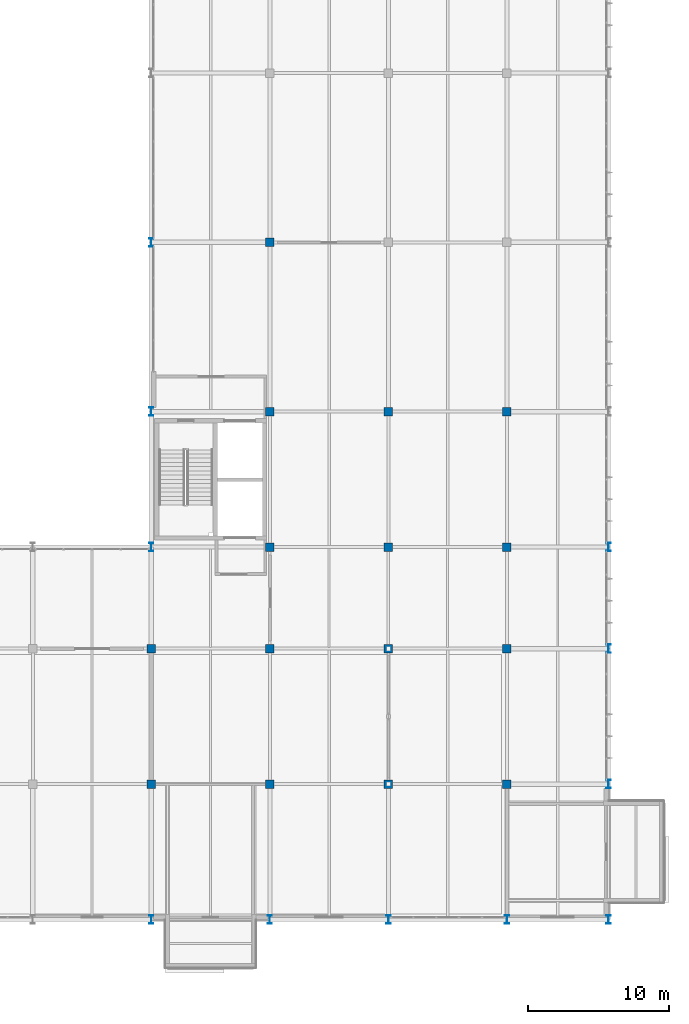
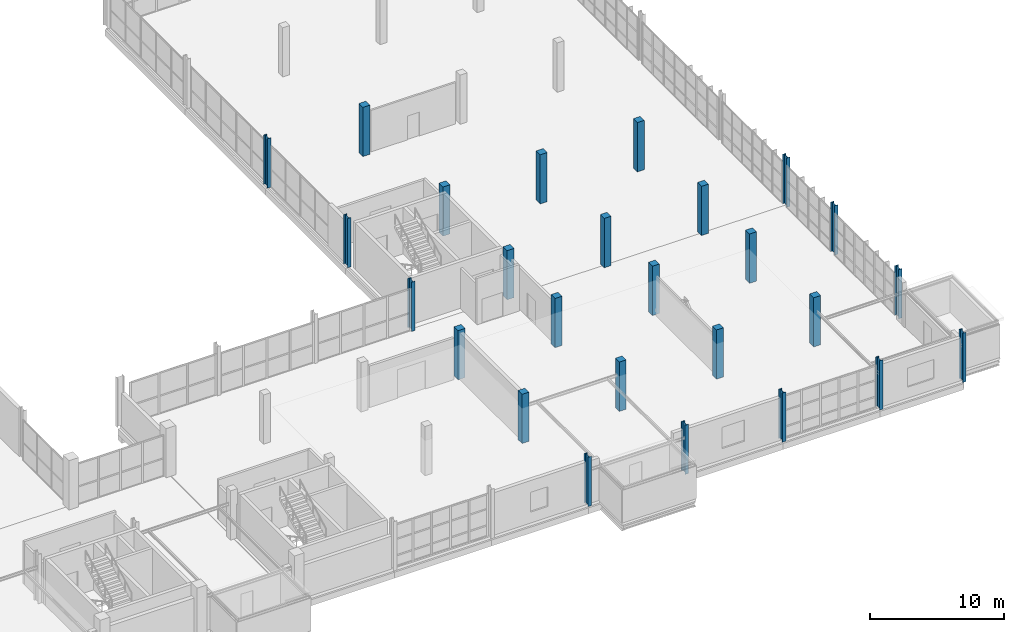
# One storey, part 9 of 130: 26 columns.
"""IFC4 building model written with IfcOpenShell, lengths in metres."""

from ifc_helpers import new_model, si_unit, direction, frame, origin, origin_2d, place, context, subcontext, project, spatial, rectangle, i_section, extrude, material, material_profile, profile_set, type_object, element, save


model = new_model("IFC4")

# Units and contexts
model_context = context("Model", 3, precision=1e-05, world=origin(), true_north=direction((0.0, 1.0)))
body_context = subcontext(model_context, "Body", "Model", "MODEL_VIEW")
ifc_project = project(units=[si_unit("LENGTHUNIT", "METRE"), si_unit("AREAUNIT", "SQUARE_METRE"), si_unit("VOLUMEUNIT", "CUBIC_METRE"), si_unit("PLANEANGLEUNIT", "RADIAN"), si_unit("MASSUNIT", "GRAM", prefix="KILO")], contexts=[model_context])

# Site, building, storey
site_placement = place(None, origin())
site = spatial("IfcSite", under=ifc_project, at=site_placement, CompositionType="ELEMENT")
building_placement = place(site_placement, origin())
building = spatial("IfcBuilding", under=site, at=building_placement, Name="Veltarok Museum of Natural Sciences", CompositionType="ELEMENT")
storey_placement = place(building_placement, frame((0.0, 0.0, 12.89990234375)))
storey = spatial("IfcBuildingStorey", under=building, at=storey_placement, Name="L02", CompositionType="ELEMENT", Elevation=12.89990234375)

# Columns
ifc_material_1 = material(Name="Concrete C40/50", Category="concrete")
ifc_material_profile_1 = material_profile(ifc_material_1, rectangle(XDim=0.60009765625, YDim=0.60009765625, at=origin_2d()), Name="RC 600x600")
ifc_profile_set_1 = profile_set([ifc_material_profile_1], Name="Concrete C40/50")
column_type_1 = type_object("IfcColumnType", Name="Conservation Wing Column RC 600x600", PredefinedType="COLUMN", material=ifc_profile_set_1)
for number, where, z_axis, x_axis, name in (
    (1, (132.39990234375, 9.60009765625, 0.0), (0.0, 0.0, 1.0), (1.0, 0.0, 0.0), "Column COL-RC02 L02 16/B"),
    (2, (132.39990234375, 19.199951171875, 0.0), (0.0, 0.0, 1.0), (1.0, 0.0, 0.0), "Column COL-RC02 L02 16/C"),
    (3, (140.800048828125, 9.60009765625, 0.0), (0.0, 0.0, 1.0), (1.0, 0.0, 0.0), "Column COL-RC02 L02 17/B"),
    (4, (140.800048828125, 19.199951171875, 0.0), (0.0, 0.0, 1.0), (1.0, 0.0, 0.0), "Column COL-RC02 L02 17/C"),
    (5, (140.800048828125, 26.39990234375, 0.0), (0.0, 0.0, 1.0), (1.0, 0.0, 0.0), "Column COL-RC02 L02 17/D"),
    (6, (140.800048828125, 36.0, 0.0), (0.0, 0.0, 1.0), (1.0, 0.0, 0.0), "Column COL-RC02 L02 17/E"),
    (7, (140.800048828125, 48.0, 0.0), (0.0, 0.0, 1.0), (1.0, 0.0, 0.0), "Column COL-RC02 L02 17/F"),
    (8, (149.199951171875, 9.60009765625, 0.0), (0.0, 0.0, 1.0), (1.0, 0.0, 0.0), "Column COL-RC02 L02 18/B"),
    (9, (149.199951171875, 19.199951171875, 0.0), (0.0, 0.0, 1.0), (1.0, 0.0, 0.0), "Column COL-RC02 L02 18/C"),
    (10, (149.199951171875, 26.39990234375, 0.0), (0.0, 0.0, 1.0), (1.0, 0.0, 0.0), "Column COL-RC02 L02 18/D"),
    (11, (149.199951171875, 36.0, 0.0), (0.0, 0.0, 1.0), (1.0, 0.0, 0.0), "Column COL-RC02 L02 18/E"),
    (12, (157.60009765625, 9.60009765625, 0.0), (0.0, 0.0, 1.0), (1.0, 0.0, 0.0), "Column COL-RC02 L02 19/B"),
    (13, (157.60009765625, 19.199951171875, 0.0), (0.0, 0.0, 1.0), (1.0, 0.0, 0.0), "Column COL-RC02 L02 19/C"),
    (14, (157.60009765625, 26.39990234375, 0.0), (0.0, 0.0, 1.0), (1.0, 0.0, 0.0), "Column COL-RC02 L02 19/D"),
    (15, (157.60009765625, 36.0, 0.0), (0.0, 0.0, 1.0), (1.0, 0.0, 0.0), "Column COL-RC02 L02 19/E"),
):
    element("IfcColumn", number, at=place(storey_placement, frame(where, z_axis=z_axis, x_axis=x_axis)), inside=storey, type_object=column_type_1, Name=name, PredefinedType="COLUMN", context=body_context, shape_type="SweptSolid", body=[
        extrude(rectangle(XDim=0.60009765625, YDim=0.60009765625, at=origin_2d()), origin(), (0.0, 0.0, 1.0), 4.5),
    ])
ifc_material_2 = material(Name="Steel S355J2", Category="steel")
ifc_material_profile_2 = material_profile(ifc_material_2, i_section(OverallWidth=0.300048828125, OverallDepth=0.60009765625, WebThickness=0.015380859375, FlangeThickness=0.030029296875, FilletRadius=0.027099609375, at=origin_2d()), Name="HEB 600")
ifc_profile_set_2 = profile_set([ifc_material_profile_2], Name="Steel S355J2")
column_type_2 = type_object("IfcColumnType", Name="Perimeter Passage Column HEB 600", PredefinedType="COLUMN", material=ifc_profile_set_2)
for number, where, z_axis, x_axis, name in (
    (16, (132.39990234375, 0.0, 0.0), (0.0, 0.0, 1.0), (1.0, 0.0, 0.0), "Column COL-EXT02 L02 16/A"),
    (17, (132.39990234375, 26.39990234375, 0.0), (0.0, 0.0, 1.0), (1.0, 0.0, 0.0), "Column COL-EXT02 L02 16/D"),
    (18, (132.39990234375, 36.0, 0.0), (0.0, 0.0, 1.0), (1.0, 0.0, 0.0), "Column COL-EXT02 L02 16/E"),
    (19, (132.39990234375, 48.0, 0.0), (0.0, 0.0, 1.0), (1.0, 0.0, 0.0), "Column COL-EXT02 L02 16/F"),
    (20, (140.800048828125, 0.0, 0.0), (0.0, 0.0, 1.0), (1.0, 0.0, 0.0), "Column COL-EXT02 L02 17/A"),
    (21, (149.199951171875, 0.0, 0.0), (0.0, 0.0, 1.0), (1.0, 0.0, 0.0), "Column COL-EXT02 L02 18/A"),
    (22, (157.60009765625, 0.0, 0.0), (0.0, 0.0, 1.0), (1.0, 0.0, 0.0), "Column COL-EXT02 L02 19/A"),
    (23, (164.800048828125, 0.0, 0.0), (0.0, 0.0, 1.0), (1.0, 0.0, 0.0), "Column COL-EXT02 L02 20/A"),
    (24, (164.800048828125, 9.60009765625, 0.0), (0.0, 0.0, 1.0), (1.0, 0.0, 0.0), "Column COL-EXT02 L02 20/B"),
    (25, (164.800048828125, 19.199951171875, 0.0), (0.0, 0.0, 1.0), (1.0, 0.0, 0.0), "Column COL-EXT02 L02 20/C"),
    (26, (164.800048828125, 26.39990234375, 0.0), (0.0, 0.0, 1.0), (1.0, 0.0, 0.0), "Column COL-EXT02 L02 20/D"),
):
    element("IfcColumn", number, at=place(storey_placement, frame(where, z_axis=z_axis, x_axis=x_axis)), inside=storey, type_object=column_type_2, Name=name, PredefinedType="COLUMN", context=body_context, shape_type="SweptSolid", body=[
        extrude(i_section(OverallWidth=0.300048828125, OverallDepth=0.60009765625, WebThickness=0.015380859375, FlangeThickness=0.030029296875, FilletRadius=0.027099609375, at=origin_2d()), origin(), (0.0, 0.0, 1.0), 4.5),
    ])

save(model, "model.ifc")
